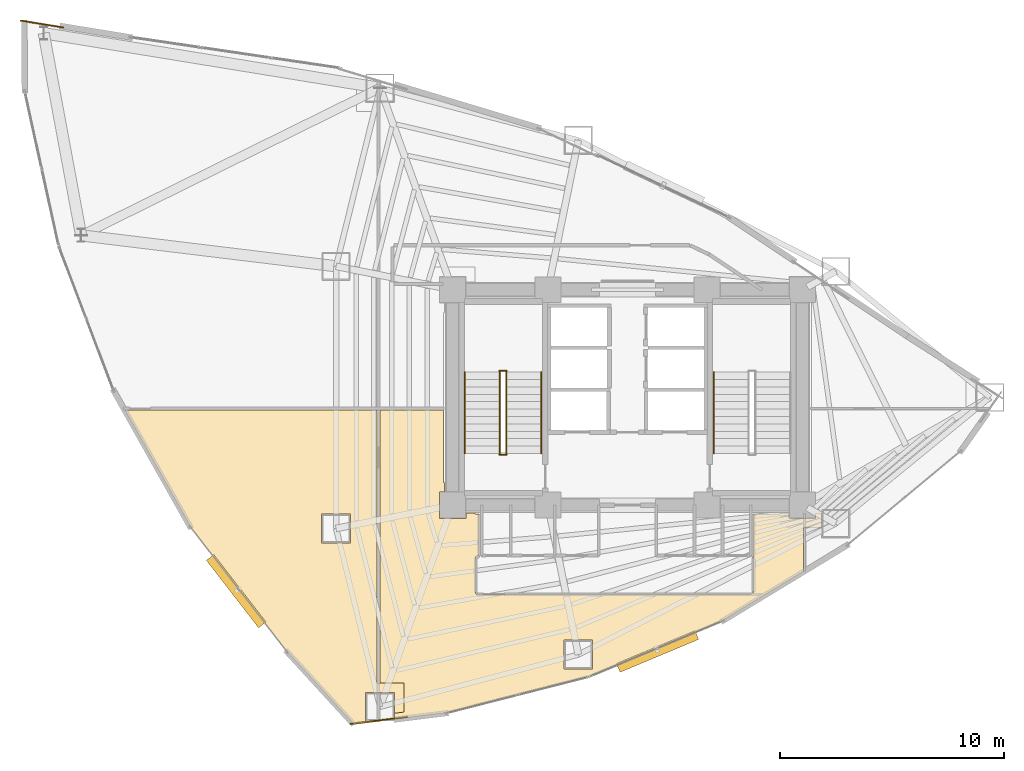
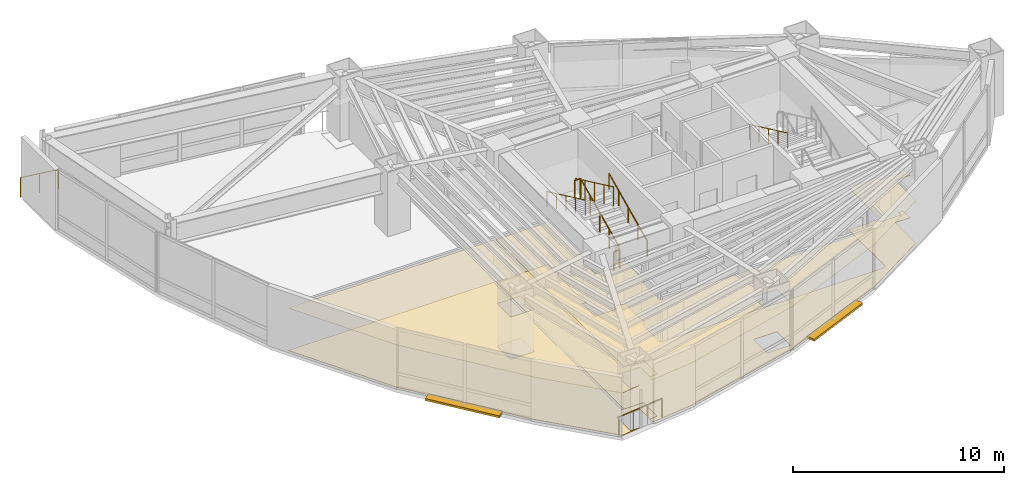
# One storey, part 22 of 23: 9 railings, 4 coverings, 2 shading devices.
"""IFC4 building model written with IfcOpenShell, lengths in metres."""

from ifc_helpers import new_model, si_unit, direction, frame, origin, origin_2d, place, context, subcontext, project, spatial, polyline, rectangle, circle, outline, extrude, material, layer, layer_set, type_object, element, save


model = new_model("IFC4")

# Units and contexts
model_context = context("Model", 3, precision=1e-05, world=origin(), true_north=direction((0.0, 1.0)))
body_context = subcontext(model_context, "Body", "Model", "MODEL_VIEW")
ifc_project = project(units=[si_unit("LENGTHUNIT", "METRE"), si_unit("AREAUNIT", "SQUARE_METRE"), si_unit("VOLUMEUNIT", "CUBIC_METRE"), si_unit("PLANEANGLEUNIT", "RADIAN"), si_unit("MASSUNIT", "GRAM", prefix="KILO")], contexts=[model_context])

# Site, building, storey
site_placement = place(None, origin())
site = spatial("IfcSite", under=ifc_project, at=site_placement, CompositionType="ELEMENT")
building_placement = place(site_placement, origin())
building = spatial("IfcBuilding", under=site, at=building_placement, Name="Menara Vayukalpa", CompositionType="ELEMENT")
storey_placement = place(building_placement, frame((0.0, 0.0, 103.97998046875)))
storey = spatial("IfcBuildingStorey", under=building, at=storey_placement, Name="L25", CompositionType="ELEMENT", Elevation=103.97998046875)

# Coverings
ifc_material_1 = material(Name="Mineral Fibre Acoustic Ceiling Tile", Category="masonry")
ifc_layer_1 = layer(ifc_material_1, 0.02490234375)
ifc_layer_set_1 = layer_set([ifc_layer_1], Name="Mineral Fibre Acoustic Ceiling Tile")
covering_type_1 = type_object("IfcCoveringType", Name="COV-CLG1", PredefinedType="CEILING", material=ifc_layer_set_1)
covering_1_placement = place(storey_placement, frame((0.0, 0.0, 2.449951171875)))
element("IfcCovering", 1, at=covering_1_placement, inside=storey, type_object=covering_type_1, Name="L25 Sky Lobby Transfer Lounge Acoustic Ceiling", PredefinedType="CEILING", context=body_context, shape_type="SweptSolid", body=[
    extrude(outline(polyline([(15.629150390625, 7.968505859375), (15.208984375, 7.916259765625), (15.208984375, 8.842529296875), (13.92919921875, 8.842529296875), (13.92919921875, 7.5625), (14.43994140625, 7.5625), (14.43994140625, 7.556884765625), (14.43994140625, 7.555908203125), (14.439697265625, 7.55517578125), (14.439697265625, 7.55419921875), (14.439208984375, 7.55322265625), (14.43896484375, 7.552490234375), (14.4384765625, 7.551513671875), (14.437744140625, 7.55078125), (14.437255859375, 7.550048828125), (14.4365234375, 7.54931640625), (14.435791015625, 7.548828125), (14.434814453125, 7.54833984375), (14.43408203125, 7.5478515625), (14.43310546875, 7.547607421875), (14.43212890625, 7.547119140625), (14.43115234375, 7.547119140625), (13.4052734375, 7.419189453125), (13.404296875, 7.419189453125), (13.4033203125, 7.419189453125), (13.402587890625, 7.419189453125), (13.401611328125, 7.41943359375), (13.400634765625, 7.419677734375), (13.39990234375, 7.420166015625), (13.39892578125, 7.42041015625), (13.398193359375, 7.421142578125), (13.3974609375, 7.421630859375), (13.396728515625, 7.42236328125), (10.439208984375, 10.650634765625), (10.438720703125, 10.6513671875), (6.10546875, 16.248046875), (6.104736328125, 16.249267578125), (3.193603515625, 21.425048828125), (3.193115234375, 21.426025390625), (3.192626953125, 21.427001953125), (3.1923828125, 21.427978515625), (3.1923828125, 21.4287109375), (3.192138671875, 21.4296875), (3.192138671875, 21.430908203125), (3.1923828125, 21.431884765625), (3.192626953125, 21.432861328125), (3.19287109375, 21.43359375), (3.193359375, 21.4345703125), (3.19384765625, 21.435546875), (3.1943359375, 21.436279296875), (3.195068359375, 21.43701171875), (3.19580078125, 21.437744140625), (3.196533203125, 21.438232421875), (3.197509765625, 21.438720703125), (3.1982421875, 21.439208984375), (3.19921875, 21.439697265625), (3.2001953125, 21.439697265625), (3.201171875, 21.43994140625), (3.2021484375, 21.43994140625), (14.429931640625, 21.43994140625), (14.430908203125, 21.43994140625), (14.431884765625, 21.439697265625), (14.432861328125, 21.439697265625), (14.433837890625, 21.439208984375), (14.434814453125, 21.438720703125), (14.435546875, 21.438232421875), (14.436279296875, 21.437744140625), (14.43701171875, 21.43701171875), (14.437744140625, 21.436279296875), (14.438232421875, 21.435546875), (14.438720703125, 21.434814453125), (14.439208984375, 21.433837890625), (14.439697265625, 21.432861328125), (14.439697265625, 21.431884765625), (14.43994140625, 21.430908203125), (14.43994140625, 21.429931640625), (14.43994140625, 9.2626953125), (15.629150390625, 9.2626953125), (15.629150390625, 7.968505859375)]), holes=[polyline([(13.24658203125, 16.794189453125), (11.966552734375, 16.794189453125), (11.966552734375, 15.514404296875), (13.24658203125, 15.514404296875), (13.24658203125, 16.794189453125)])]), origin(), (0.0, 0.0, 1.0), 0.025146484375),
])
covering_2_placement = place(storey_placement, frame((0.0, 0.0, 2.449951171875)))
element("IfcCovering", 2, at=covering_2_placement, inside=storey, type_object=covering_type_1, Name="L25 Open Plan Office Workplace Acoustic Ceiling", PredefinedType="CEILING", context=body_context, shape_type="SweptSolid", body=[
    extrude(outline(polyline([(13.509033203125, 9.2626953125), (14.56005859375, 9.2626953125), (14.56005859375, 21.429931640625), (14.56005859375, 21.430908203125), (14.560302734375, 21.431884765625), (14.560302734375, 21.432861328125), (14.560791015625, 21.433837890625), (14.561279296875, 21.434814453125), (14.561767578125, 21.435546875), (14.562255859375, 21.436279296875), (14.56298828125, 21.43701171875), (14.563720703125, 21.437744140625), (14.564453125, 21.438232421875), (14.565185546875, 21.438720703125), (14.566162109375, 21.439208984375), (14.567138671875, 21.439697265625), (14.568115234375, 21.439697265625), (14.569091796875, 21.43994140625), (14.570068359375, 21.43994140625), (17.3798828125, 21.43994140625), (17.381103515625, 21.43994140625), (17.382080078125, 21.439697265625), (17.3828125, 21.439697265625), (17.3837890625, 21.439208984375), (17.384765625, 21.438720703125), (17.385498046875, 21.438232421875), (17.38623046875, 21.437744140625), (17.38720703125, 21.43701171875), (17.3876953125, 21.436279296875), (17.38818359375, 21.435546875), (17.388916015625, 21.434814453125), (17.38916015625, 21.433837890625), (17.3896484375, 21.432861328125), (17.389892578125, 21.431884765625), (17.389892578125, 21.430908203125), (17.389892578125, 21.429931640625), (17.389892578125, 18.2099609375), (17.449951171875, 18.2099609375), (17.449951171875, 17.7900390625), (17.2099609375, 17.7900390625), (17.2099609375, 16.610107421875), (18.389892578125, 16.610107421875), (18.389892578125, 16.85009765625), (18.81005859375, 16.85009765625), (18.81005859375, 16.7900390625), (18.97998046875, 16.7900390625), (18.98095703125, 16.7900390625), (18.98193359375, 16.789794921875), (18.98291015625, 16.78955078125), (18.98388671875, 16.789306640625), (18.984619140625, 16.788818359375), (18.985595703125, 16.788330078125), (18.986328125, 16.78759765625), (18.987060546875, 16.787109375), (18.98779296875, 16.786376953125), (18.98828125, 16.78564453125), (18.98876953125, 16.78466796875), (18.9892578125, 16.78369140625), (18.989501953125, 16.782958984375), (18.98974609375, 16.781982421875), (18.989990234375, 16.781005859375), (18.989990234375, 16.780029296875), (18.989990234375, 14.929931640625), (18.989990234375, 14.928955078125), (18.98974609375, 14.927978515625), (18.989501953125, 14.927001953125), (18.9892578125, 14.92626953125), (18.98876953125, 14.92529296875), (18.98828125, 14.92431640625), (18.98779296875, 14.923583984375), (18.987060546875, 14.9228515625), (18.986328125, 14.92236328125), (18.985595703125, 14.921630859375), (18.984619140625, 14.921142578125), (18.98388671875, 14.9208984375), (18.98291015625, 14.92041015625), (18.98193359375, 14.920166015625), (18.98095703125, 14.919921875), (18.97998046875, 14.919921875), (18.900390625, 14.919921875), (18.893310546875, 14.919677734375), (18.88623046875, 14.918701171875), (18.879638671875, 14.9169921875), (18.873291015625, 14.914794921875), (18.866943359375, 14.911865234375), (18.861083984375, 14.908203125), (18.85546875, 14.904052734375), (18.8505859375, 14.8994140625), (18.845947265625, 14.89453125), (18.841796875, 14.888916015625), (18.838134765625, 14.883056640625), (18.835205078125, 14.876708984375), (18.8330078125, 14.870361328125), (18.831298828125, 14.86376953125), (18.830322265625, 14.856689453125), (18.830078125, 14.849609375), (18.830078125, 13.290283203125), (18.830322265625, 13.283203125), (18.831298828125, 13.2763671875), (18.8330078125, 13.269775390625), (18.835205078125, 13.26318359375), (18.838134765625, 13.257080078125), (18.841796875, 13.251220703125), (18.845947265625, 13.24560546875), (18.8505859375, 13.240478515625), (18.85546875, 13.236083984375), (18.861083984375, 13.231689453125), (18.866943359375, 13.228271484375), (18.873291015625, 13.225341796875), (18.879638671875, 13.222900390625), (18.88623046875, 13.22119140625), (18.893310546875, 13.220458984375), (18.900390625, 13.219970703125), (31.048828125, 13.219970703125), (31.055419921875, 13.22021484375), (31.0615234375, 13.22119140625), (31.06787109375, 13.22265625), (31.073974609375, 13.224609375), (31.079833984375, 13.22705078125), (31.085693359375, 13.230224609375), (31.186279296875, 13.29150390625), (31.192138671875, 13.295654296875), (31.19775390625, 13.30029296875), (31.202880859375, 13.305419921875), (31.207275390625, 13.31103515625), (31.2109375, 13.317138671875), (31.214111328125, 13.323486328125), (31.216796875, 13.330078125), (31.218505859375, 13.337158203125), (31.219482421875, 13.34423828125), (31.219970703125, 13.3515625), (31.219970703125, 14.849609375), (31.219482421875, 14.856689453125), (31.21875, 14.86376953125), (31.217041015625, 14.870361328125), (31.214599609375, 14.876708984375), (31.2119140625, 14.8828125), (31.211669921875, 14.883056640625), (31.211181640625, 14.8837890625), (31.210693359375, 14.884765625), (31.21044921875, 14.8857421875), (31.210205078125, 14.88671875), (31.2099609375, 14.8876953125), (31.2099609375, 14.888671875), (31.2099609375, 16.780029296875), (31.2099609375, 16.781005859375), (31.210205078125, 16.781982421875), (31.21044921875, 16.782958984375), (31.210693359375, 16.78369140625), (31.211181640625, 16.78466796875), (31.211669921875, 16.78564453125), (31.21240234375, 16.786376953125), (31.212890625, 16.787109375), (31.213623046875, 16.78759765625), (31.21435546875, 16.788330078125), (31.21533203125, 16.788818359375), (31.21630859375, 16.789306640625), (31.217041015625, 16.78955078125), (31.218017578125, 16.789794921875), (31.218994140625, 16.7900390625), (31.219970703125, 16.7900390625), (32.389892578125, 16.7900390625), (32.389892578125, 16.85009765625), (32.81005859375, 16.85009765625), (32.81005859375, 16.610107421875), (33.989990234375, 16.610107421875), (33.989990234375, 16.85009765625), (34.246826171875, 16.85009765625), (34.246826171875, 16.18994140625), (33.43994140625, 16.18994140625), (33.43994140625, 14.240966796875), (33.440185546875, 14.235107421875), (33.440185546875, 14.23486328125), (33.4404296875, 14.23388671875), (33.4404296875, 14.23291015625), (33.440185546875, 14.23193359375), (33.440185546875, 14.23095703125), (33.439697265625, 14.22998046875), (33.439453125, 14.229248046875), (33.43896484375, 14.228271484375), (33.4384765625, 14.2275390625), (33.437744140625, 14.226806640625), (33.43701171875, 14.22607421875), (33.436279296875, 14.2255859375), (33.435546875, 14.22509765625), (29.862060546875, 12.05419921875), (29.861328125, 12.0537109375), (29.860595703125, 12.053466796875), (23.90478515625, 9.562255859375), (23.903564453125, 9.561767578125), (17.50927734375, 7.930908203125), (17.5078125, 7.9306640625), (15.208984375, 7.64404296875), (15.208984375, 8.842529296875), (13.92919921875, 8.842529296875), (13.92919921875, 7.756591796875), (13.509033203125, 7.7041015625), (13.509033203125, 9.2626953125)]), holes=[polyline([(24.048095703125, 11.172607421875), (22.768310546875, 11.172607421875), (22.768310546875, 9.892578125), (24.048095703125, 9.892578125), (24.048095703125, 11.172607421875)])]), origin(), (0.0, 0.0, 1.0), 0.025146484375),
])
ifc_material_2 = material(Name="Porcelain Stoneware Floor Tile", Category="masonry")
ifc_layer_2 = layer(ifc_material_2, 0.02001953125)
ifc_layer_set_2 = layer_set([ifc_layer_2], Name="Porcelain Stoneware Floor Tile")
covering_type_2 = type_object("IfcCoveringType", Name="COV-FLR1", PredefinedType="FLOORING", material=ifc_layer_set_2)
covering_3_placement = place(storey_placement, origin())
element("IfcCovering", 3, at=covering_3_placement, inside=storey, type_object=covering_type_2, Name="L25 Sky Lobby Transfer Lounge Porcelain Flooring", PredefinedType="FLOORING", context=body_context, shape_type="SweptSolid", body=[
    extrude(outline(polyline([(15.629150390625, 7.968505859375), (15.208984375, 7.916259765625), (15.208984375, 8.842529296875), (13.92919921875, 8.842529296875), (13.92919921875, 7.5625), (14.43994140625, 7.5625), (14.43994140625, 7.556884765625), (14.43994140625, 7.555908203125), (14.439697265625, 7.55517578125), (14.439697265625, 7.55419921875), (14.439208984375, 7.55322265625), (14.43896484375, 7.552490234375), (14.4384765625, 7.551513671875), (14.437744140625, 7.55078125), (14.437255859375, 7.550048828125), (14.4365234375, 7.54931640625), (14.435791015625, 7.548828125), (14.434814453125, 7.54833984375), (14.43408203125, 7.5478515625), (14.43310546875, 7.547607421875), (14.43212890625, 7.547119140625), (14.43115234375, 7.547119140625), (13.4052734375, 7.419189453125), (13.404296875, 7.419189453125), (13.4033203125, 7.419189453125), (13.402587890625, 7.419189453125), (13.401611328125, 7.41943359375), (13.400634765625, 7.419677734375), (13.39990234375, 7.420166015625), (13.39892578125, 7.42041015625), (13.398193359375, 7.421142578125), (13.3974609375, 7.421630859375), (13.396728515625, 7.42236328125), (10.439208984375, 10.650634765625), (10.438720703125, 10.6513671875), (6.10546875, 16.248046875), (6.104736328125, 16.249267578125), (3.193603515625, 21.425048828125), (3.193115234375, 21.426025390625), (3.192626953125, 21.427001953125), (3.1923828125, 21.427978515625), (3.1923828125, 21.4287109375), (3.192138671875, 21.4296875), (3.192138671875, 21.430908203125), (3.1923828125, 21.431884765625), (3.192626953125, 21.432861328125), (3.19287109375, 21.43359375), (3.193359375, 21.4345703125), (3.19384765625, 21.435546875), (3.1943359375, 21.436279296875), (3.195068359375, 21.43701171875), (3.19580078125, 21.437744140625), (3.196533203125, 21.438232421875), (3.197509765625, 21.438720703125), (3.1982421875, 21.439208984375), (3.19921875, 21.439697265625), (3.2001953125, 21.439697265625), (3.201171875, 21.43994140625), (3.2021484375, 21.43994140625), (14.429931640625, 21.43994140625), (14.430908203125, 21.43994140625), (14.431884765625, 21.439697265625), (14.432861328125, 21.439697265625), (14.433837890625, 21.439208984375), (14.434814453125, 21.438720703125), (14.435546875, 21.438232421875), (14.436279296875, 21.437744140625), (14.43701171875, 21.43701171875), (14.437744140625, 21.436279296875), (14.438232421875, 21.435546875), (14.438720703125, 21.434814453125), (14.439208984375, 21.433837890625), (14.439697265625, 21.432861328125), (14.439697265625, 21.431884765625), (14.43994140625, 21.430908203125), (14.43994140625, 21.429931640625), (14.43994140625, 9.2626953125), (15.629150390625, 9.2626953125), (15.629150390625, 7.968505859375)]), holes=[polyline([(13.24658203125, 16.794189453125), (11.966552734375, 16.794189453125), (11.966552734375, 15.514404296875), (13.24658203125, 15.514404296875), (13.24658203125, 16.794189453125)])]), origin(), (0.0, 0.0, 1.0), 0.02001953125),
])
covering_4_placement = place(storey_placement, origin())
element("IfcCovering", 4, at=covering_4_placement, inside=storey, type_object=covering_type_2, Name="L25 Open Plan Office Workplace Porcelain Flooring", PredefinedType="FLOORING", context=body_context, shape_type="SweptSolid", body=[
    extrude(outline(polyline([(13.509033203125, 9.2626953125), (14.56005859375, 9.2626953125), (14.56005859375, 21.429931640625), (14.56005859375, 21.430908203125), (14.560302734375, 21.431884765625), (14.560302734375, 21.432861328125), (14.560791015625, 21.433837890625), (14.561279296875, 21.434814453125), (14.561767578125, 21.435546875), (14.562255859375, 21.436279296875), (14.56298828125, 21.43701171875), (14.563720703125, 21.437744140625), (14.564453125, 21.438232421875), (14.565185546875, 21.438720703125), (14.566162109375, 21.439208984375), (14.567138671875, 21.439697265625), (14.568115234375, 21.439697265625), (14.569091796875, 21.43994140625), (14.570068359375, 21.43994140625), (17.3798828125, 21.43994140625), (17.381103515625, 21.43994140625), (17.382080078125, 21.439697265625), (17.3828125, 21.439697265625), (17.3837890625, 21.439208984375), (17.384765625, 21.438720703125), (17.385498046875, 21.438232421875), (17.38623046875, 21.437744140625), (17.38720703125, 21.43701171875), (17.3876953125, 21.436279296875), (17.38818359375, 21.435546875), (17.388916015625, 21.434814453125), (17.38916015625, 21.433837890625), (17.3896484375, 21.432861328125), (17.389892578125, 21.431884765625), (17.389892578125, 21.430908203125), (17.389892578125, 21.429931640625), (17.389892578125, 18.2099609375), (17.449951171875, 18.2099609375), (17.449951171875, 17.7900390625), (17.2099609375, 17.7900390625), (17.2099609375, 16.610107421875), (18.389892578125, 16.610107421875), (18.389892578125, 16.85009765625), (18.81005859375, 16.85009765625), (18.81005859375, 16.7900390625), (18.97998046875, 16.7900390625), (18.98095703125, 16.7900390625), (18.98193359375, 16.789794921875), (18.98291015625, 16.78955078125), (18.98388671875, 16.789306640625), (18.984619140625, 16.788818359375), (18.985595703125, 16.788330078125), (18.986328125, 16.78759765625), (18.987060546875, 16.787109375), (18.98779296875, 16.786376953125), (18.98828125, 16.78564453125), (18.98876953125, 16.78466796875), (18.9892578125, 16.78369140625), (18.989501953125, 16.782958984375), (18.98974609375, 16.781982421875), (18.989990234375, 16.781005859375), (18.989990234375, 16.780029296875), (18.989990234375, 14.929931640625), (18.989990234375, 14.928955078125), (18.98974609375, 14.927978515625), (18.989501953125, 14.927001953125), (18.9892578125, 14.92626953125), (18.98876953125, 14.92529296875), (18.98828125, 14.92431640625), (18.98779296875, 14.923583984375), (18.987060546875, 14.9228515625), (18.986328125, 14.92236328125), (18.985595703125, 14.921630859375), (18.984619140625, 14.921142578125), (18.98388671875, 14.9208984375), (18.98291015625, 14.92041015625), (18.98193359375, 14.920166015625), (18.98095703125, 14.919921875), (18.97998046875, 14.919921875), (18.900390625, 14.919921875), (18.893310546875, 14.919677734375), (18.88623046875, 14.918701171875), (18.879638671875, 14.9169921875), (18.873291015625, 14.914794921875), (18.866943359375, 14.911865234375), (18.861083984375, 14.908203125), (18.85546875, 14.904052734375), (18.8505859375, 14.8994140625), (18.845947265625, 14.89453125), (18.841796875, 14.888916015625), (18.838134765625, 14.883056640625), (18.835205078125, 14.876708984375), (18.8330078125, 14.870361328125), (18.831298828125, 14.86376953125), (18.830322265625, 14.856689453125), (18.830078125, 14.849609375), (18.830078125, 13.290283203125), (18.830322265625, 13.283203125), (18.831298828125, 13.2763671875), (18.8330078125, 13.269775390625), (18.835205078125, 13.26318359375), (18.838134765625, 13.257080078125), (18.841796875, 13.251220703125), (18.845947265625, 13.24560546875), (18.8505859375, 13.240478515625), (18.85546875, 13.236083984375), (18.861083984375, 13.231689453125), (18.866943359375, 13.228271484375), (18.873291015625, 13.225341796875), (18.879638671875, 13.222900390625), (18.88623046875, 13.22119140625), (18.893310546875, 13.220458984375), (18.900390625, 13.219970703125), (31.048828125, 13.219970703125), (31.055419921875, 13.22021484375), (31.0615234375, 13.22119140625), (31.06787109375, 13.22265625), (31.073974609375, 13.224609375), (31.079833984375, 13.22705078125), (31.085693359375, 13.230224609375), (31.186279296875, 13.29150390625), (31.192138671875, 13.295654296875), (31.19775390625, 13.30029296875), (31.202880859375, 13.305419921875), (31.207275390625, 13.31103515625), (31.2109375, 13.317138671875), (31.214111328125, 13.323486328125), (31.216796875, 13.330078125), (31.218505859375, 13.337158203125), (31.219482421875, 13.34423828125), (31.219970703125, 13.3515625), (31.219970703125, 14.849609375), (31.219482421875, 14.856689453125), (31.21875, 14.86376953125), (31.217041015625, 14.870361328125), (31.214599609375, 14.876708984375), (31.2119140625, 14.8828125), (31.211669921875, 14.883056640625), (31.211181640625, 14.8837890625), (31.210693359375, 14.884765625), (31.21044921875, 14.8857421875), (31.210205078125, 14.88671875), (31.2099609375, 14.8876953125), (31.2099609375, 14.888671875), (31.2099609375, 16.780029296875), (31.2099609375, 16.781005859375), (31.210205078125, 16.781982421875), (31.21044921875, 16.782958984375), (31.210693359375, 16.78369140625), (31.211181640625, 16.78466796875), (31.211669921875, 16.78564453125), (31.21240234375, 16.786376953125), (31.212890625, 16.787109375), (31.213623046875, 16.78759765625), (31.21435546875, 16.788330078125), (31.21533203125, 16.788818359375), (31.21630859375, 16.789306640625), (31.217041015625, 16.78955078125), (31.218017578125, 16.789794921875), (31.218994140625, 16.7900390625), (31.219970703125, 16.7900390625), (32.389892578125, 16.7900390625), (32.389892578125, 16.85009765625), (32.81005859375, 16.85009765625), (32.81005859375, 16.610107421875), (33.989990234375, 16.610107421875), (33.989990234375, 16.85009765625), (34.246826171875, 16.85009765625), (34.246826171875, 16.18994140625), (33.43994140625, 16.18994140625), (33.43994140625, 14.240966796875), (33.440185546875, 14.235107421875), (33.440185546875, 14.23486328125), (33.4404296875, 14.23388671875), (33.4404296875, 14.23291015625), (33.440185546875, 14.23193359375), (33.440185546875, 14.23095703125), (33.439697265625, 14.22998046875), (33.439453125, 14.229248046875), (33.43896484375, 14.228271484375), (33.4384765625, 14.2275390625), (33.437744140625, 14.226806640625), (33.43701171875, 14.22607421875), (33.436279296875, 14.2255859375), (33.435546875, 14.22509765625), (29.862060546875, 12.05419921875), (29.861328125, 12.0537109375), (29.860595703125, 12.053466796875), (23.90478515625, 9.562255859375), (23.903564453125, 9.561767578125), (17.50927734375, 7.930908203125), (17.5078125, 7.9306640625), (15.208984375, 7.64404296875), (15.208984375, 8.842529296875), (13.92919921875, 8.842529296875), (13.92919921875, 7.756591796875), (13.509033203125, 7.7041015625), (13.509033203125, 9.2626953125)]), holes=[polyline([(24.048095703125, 11.172607421875), (22.768310546875, 11.172607421875), (22.768310546875, 9.892578125), (24.048095703125, 9.892578125), (24.048095703125, 11.172607421875)])]), origin(), (0.0, 0.0, 1.0), 0.02001953125),
])

# Railings
ifc_material_3 = material(Name="Laminated Glass and Stainless Steel 316 Guardrail", Category="steel")
railing_type_1 = type_object("IfcRailingType", Name="RLG-EXT115", PredefinedType="GUARDRAIL", material=ifc_material_3)
railing_1_placement = place(storey_placement, frame((0.4375, 38.49267578125, 0.0)))
element("IfcRailing", 5, at=railing_1_placement, inside=storey, type_object=railing_type_1, Name="L25 Column Corner Spandrel Guardrail 07-1", PredefinedType="GUARDRAIL", context=body_context, shape_type="SweptSolid", body=[
    extrude(circle(Radius=0.02392578125, at=origin_2d()), frame((0.0, 0.0, 1.1259765625), z_axis=(-0.98707028177, 0.160288049607, 0.0), x_axis=(-0.160288049607, -0.98707028177, 0.0)), (0.0, 0.0, 1.0), 1.9267578125),
    extrude(circle(Radius=0.02099609375, at=origin_2d()), origin(), (0.0, 0.0, 1.0), 1.101806640625),
    extrude(circle(Radius=0.02099609375, at=origin_2d()), frame((-0.950927734375, 0.154296875, 0.0)), (0.0, 0.0, 1.0), 1.101806640625),
    extrude(circle(Radius=0.02099609375, at=origin_2d()), frame((-1.90185546875, 0.308837890625, 0.0)), (0.0, 0.0, 1.0), 1.101806640625),
])
railing_2_placement = place(storey_placement, frame((13.231201171875, 7.437744140625, 0.0)))
element("IfcRailing", 6, at=railing_2_placement, inside=storey, type_object=railing_type_1, Name="L25 Column Corner Spandrel Guardrail 14-1", PredefinedType="GUARDRAIL", context=body_context, shape_type="SweptSolid", body=[
    extrude(circle(Radius=0.02392578125, at=origin_2d()), frame((0.0, 0.0, 1.1259765625), z_axis=(0.992317327434, 0.12371871998, 0.0), x_axis=(-0.12371871998, 0.992317327434, 0.0)), (0.0, 0.0, 1.0), 2.5673828125),
    extrude(circle(Radius=0.02099609375, at=origin_2d()), origin(), (0.0, 0.0, 1.0), 1.101806640625),
    extrude(circle(Radius=0.02099609375, at=origin_2d()), frame((0.84912109375, 0.10595703125, 0.0)), (0.0, 0.0, 1.0), 1.101806640625),
    extrude(circle(Radius=0.02099609375, at=origin_2d()), frame((1.698486328125, 0.211669921875, 0.0)), (0.0, 0.0, 1.0), 1.101806640625),
    extrude(circle(Radius=0.02099609375, at=origin_2d()), frame((2.547607421875, 0.317626953125, 0.0)), (0.0, 0.0, 1.0), 1.101806640625),
])
ifc_material_4 = material(Name="Powder-Coated Galvanised Steel Guardrail", Category="steel")
railing_type_2 = type_object("IfcRailingType", Name="RLG-STG110", PredefinedType="GUARDRAIL", material=ifc_material_4)
railing_3_placement = place(storey_placement, frame((20.199951171875, 19.5, 0.155029296875)))
element("IfcRailing", 7, at=railing_3_placement, inside=storey, type_object=railing_type_2, Name="L25 ST-1 stair guard 1", PredefinedType="GUARDRAIL", context=body_context, shape_type="SweptSolid", body=[
    extrude(circle(Radius=0.02392578125, at=origin_2d()), frame((0.0, 0.0, 1.09619140625), z_axis=(0.0, 0.90511648382, 0.425163675209), x_axis=(-1.0, 0.0, 0.0)), (0.0, 0.0, 1.0), 4.010498046875),
    extrude(circle(Radius=0.02099609375, at=origin_2d()), origin(), (0.0, 0.0, 1.0), 1.072021484375),
    extrude(circle(Radius=0.02099609375, at=origin_2d()), frame((0.0, 0.907470703125, 0.42626953125)), (0.0, 0.0, 1.0), 1.072021484375),
    extrude(circle(Radius=0.02099609375, at=origin_2d()), frame((0.0, 1.81494140625, 0.8525390625)), (0.0, 0.0, 1.0), 1.072021484375),
    extrude(circle(Radius=0.02099609375, at=origin_2d()), frame((0.0, 2.722412109375, 1.27880859375)), (0.0, 0.0, 1.0), 1.072021484375),
    extrude(circle(Radius=0.02099609375, at=origin_2d()), frame((0.0, 3.6298828125, 1.705078125)), (0.0, 0.0, 1.0), 1.072021484375),
])
railing_4_placement = place(storey_placement, frame((20.2099609375, 23.179931640625, 1.860107421875)))
element("IfcRailing", 8, at=railing_4_placement, inside=storey, type_object=railing_type_2, Name="L25 ST-1 stair guard 2", PredefinedType="GUARDRAIL", context=body_context, shape_type="SweptSolid", body=[
    extrude(circle(Radius=0.02392578125, at=origin_2d()), frame((0.0, 0.0, 1.09619140625), z_axis=(-1.0, 0.0, 0.0), x_axis=(0.0, -1.0, 0.0)), (0.0, 0.0, 1.0), 0.320068359375),
    extrude(circle(Radius=0.02099609375, at=origin_2d()), origin(), (0.0, 0.0, 1.0), 1.072021484375),
    extrude(circle(Radius=0.02099609375, at=origin_2d()), frame((-0.320068359375, 0.0, 0.0)), (0.0, 0.0, 1.0), 1.072021484375),
])
railing_5_placement = place(storey_placement, frame((19.89990234375, 23.1298828125, 2.01513671875)))
element("IfcRailing", 9, at=railing_5_placement, inside=storey, type_object=railing_type_2, Name="L25 ST-1 stair guard 3", PredefinedType="GUARDRAIL", context=body_context, shape_type="SweptSolid", body=[
    extrude(circle(Radius=0.02392578125, at=origin_2d()), frame((0.0, 0.0, 1.09619140625), z_axis=(0.0, -0.90513990983, 0.425113800803), x_axis=(1.0, 0.0, 0.0)), (0.0, 0.0, 1.0), 4.01025390625),
    extrude(circle(Radius=0.02099609375, at=origin_2d()), origin(), (0.0, 0.0, 1.0), 1.072021484375),
    extrude(circle(Radius=0.02099609375, at=origin_2d()), frame((0.0, -0.907470703125, 0.42626953125)), (0.0, 0.0, 1.0), 1.072021484375),
    extrude(circle(Radius=0.02099609375, at=origin_2d()), frame((0.0, -1.81494140625, 0.8525390625)), (0.0, 0.0, 1.0), 1.072021484375),
    extrude(circle(Radius=0.02099609375, at=origin_2d()), frame((0.0, -2.722412109375, 1.278564453125)), (0.0, 0.0, 1.0), 1.072021484375),
    extrude(circle(Radius=0.02099609375, at=origin_2d()), frame((0.0, -3.6298828125, 1.704833984375)), (0.0, 0.0, 1.0), 1.072021484375),
])
railing_6_placement = place(storey_placement, frame((20.2099609375, 19.449951171875, 0.0)))
element("IfcRailing", 10, at=railing_6_placement, inside=storey, type_object=railing_type_2, Name="L25 ST-1 stair guard 4", PredefinedType="GUARDRAIL", context=body_context, shape_type="SweptSolid", body=[
    extrude(circle(Radius=0.02392578125, at=origin_2d()), frame((0.0, 0.0, 1.09619140625), z_axis=(-1.0, 0.0, 0.0), x_axis=(0.0, -1.0, 0.0)), (0.0, 0.0, 1.0), 0.320068359375),
    extrude(circle(Radius=0.02099609375, at=origin_2d()), origin(), (0.0, 0.0, 1.0), 1.072021484375),
    extrude(circle(Radius=0.02099609375, at=origin_2d()), frame((-0.320068359375, 0.0, 0.0)), (0.0, 0.0, 1.0), 1.072021484375),
])
ifc_material_5 = material(Name="Stainless Steel 316 Tubular Handrail", Category="steel")
railing_type_3 = type_object("IfcRailingType", Name="RLG-STH090", PredefinedType="HANDRAIL", material=ifc_material_5)
railing_7_placement = place(storey_placement, frame((21.75, 19.5, 0.155029296875)))
element("IfcRailing", 11, at=railing_7_placement, inside=storey, type_object=railing_type_3, Name="L25 ST-1 stair handrail 1", PredefinedType="HANDRAIL", context=body_context, shape_type="SweptSolid", body=[
    extrude(circle(Radius=0.02392578125, at=origin_2d()), frame((0.0, 0.0, 0.8759765625), z_axis=(0.0, 0.90511648382, 0.425163675209), x_axis=(-1.0, 0.0, 0.0)), (0.0, 0.0, 1.0), 4.010498046875),
    extrude(circle(Radius=0.02099609375, at=origin_2d()), origin(), (0.0, 0.0, 1.0), 0.851806640625),
    extrude(circle(Radius=0.02099609375, at=origin_2d()), frame((0.0, 0.907470703125, 0.42626953125)), (0.0, 0.0, 1.0), 0.851806640625),
    extrude(circle(Radius=0.02099609375, at=origin_2d()), frame((0.0, 1.81494140625, 0.8525390625)), (0.0, 0.0, 1.0), 0.851806640625),
    extrude(circle(Radius=0.02099609375, at=origin_2d()), frame((0.0, 2.722412109375, 1.27880859375)), (0.0, 0.0, 1.0), 0.851806640625),
    extrude(circle(Radius=0.02099609375, at=origin_2d()), frame((0.0, 3.6298828125, 1.705078125)), (0.0, 0.0, 1.0), 0.851806640625),
])
for number, where, name in (
    (12, (18.35009765625, 23.1298828125, 2.01513671875), "L25 ST-1 stair handrail 2"),
    (13, (29.449951171875, 23.1298828125, 2.01513671875), "L25 ST-2 stair handrail 2"),
):
    element("IfcRailing", number, at=place(storey_placement, frame(where)), inside=storey, type_object=railing_type_3, Name=name, PredefinedType="HANDRAIL", context=body_context, shape_type="SweptSolid", body=[
        extrude(circle(Radius=0.02392578125, at=origin_2d()), frame((0.0, 0.0, 0.8759765625), z_axis=(0.0, -0.90513990983, 0.425113800803), x_axis=(1.0, 0.0, 0.0)), (0.0, 0.0, 1.0), 4.01025390625),
        extrude(circle(Radius=0.02099609375, at=origin_2d()), origin(), (0.0, 0.0, 1.0), 0.851806640625),
        extrude(circle(Radius=0.02099609375, at=origin_2d()), frame((0.0, -0.907470703125, 0.42626953125)), (0.0, 0.0, 1.0), 0.851806640625),
        extrude(circle(Radius=0.02099609375, at=origin_2d()), frame((0.0, -1.81494140625, 0.8525390625)), (0.0, 0.0, 1.0), 0.851806640625),
        extrude(circle(Radius=0.02099609375, at=origin_2d()), frame((0.0, -2.722412109375, 1.278564453125)), (0.0, 0.0, 1.0), 0.851806640625),
        extrude(circle(Radius=0.02099609375, at=origin_2d()), frame((0.0, -3.6298828125, 1.704833984375)), (0.0, 0.0, 1.0), 0.851806640625),
    ])

# Shading devices
ifc_material_6 = material(Name="Glazed Terracotta Ceramic Baguette Extrusion", Category="masonry")
ifc_layer_3 = layer(ifc_material_6, 0.1201171875)
ifc_layer_set_3 = layer_set([ifc_layer_3], Name="Glazed Terracotta Ceramic Baguette Extrusion")
shading_device_type = type_object("IfcShadingDeviceType", Name="SHD-SS1", PredefinedType="USERDEFINED", material=ifc_layer_set_3)
for number, where, z_axis, x_axis, name in (
    (14, (8.1533203125, 13.358154296875, -0.10009765625), (0.0, 0.0, 1.0), (0.612189679389, -0.790710943677, 0.0), "L25 Horizontal Terracotta Sunshade Band 13"),
    (15, (26.940673828125, 10.66943359375, -0.10009765625), (0.0, 0.0, 1.0), (0.922544824647, 0.385889940938, 0.0), "L25 Horizontal Terracotta Sunshade Band 17"),
):
    element("IfcShadingDevice", number, at=place(storey_placement, frame(where, z_axis=z_axis, x_axis=x_axis)), inside=storey, type_object=shading_device_type, Name=name, ObjectType="SUNSHADE", PredefinedType="USERDEFINED", context=body_context, shape_type="SweptSolid", body=[
        extrude(rectangle(XDim=3.800048828125, YDim=0.419921875, at=origin_2d()), origin(), (0.0, 0.0, 1.0), 0.1201171875),
    ])

save(model, "model.ifc")
